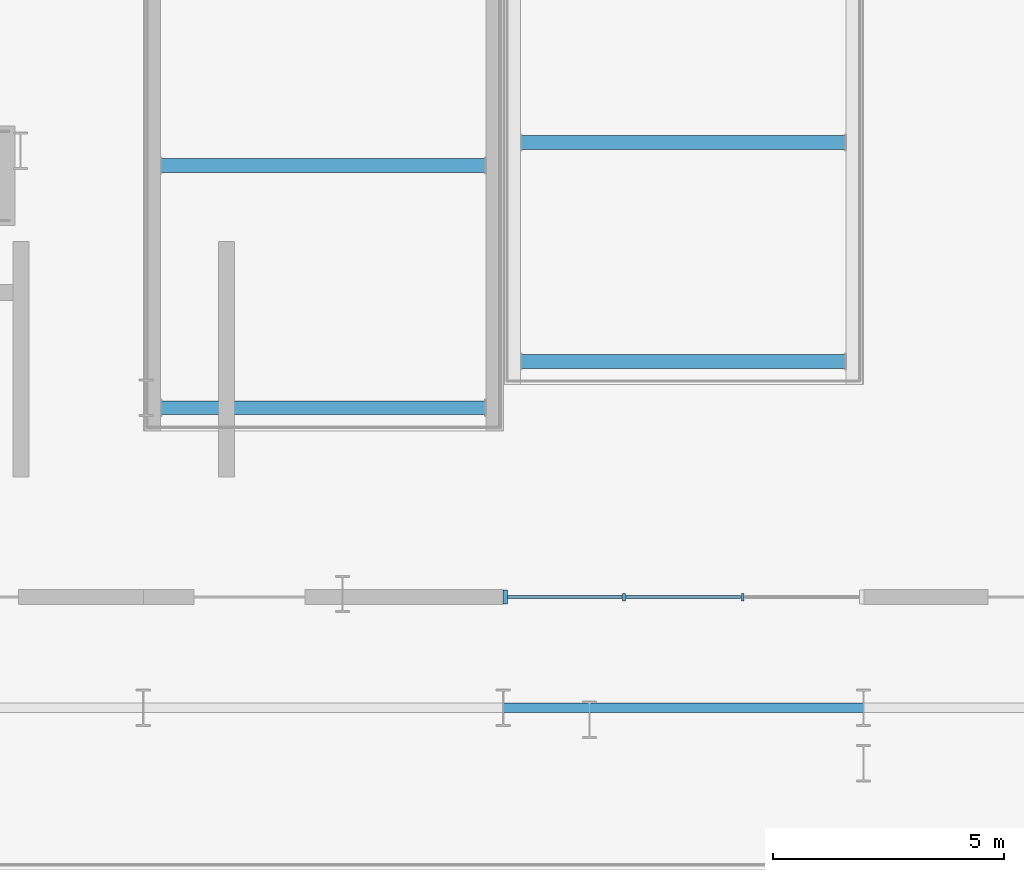
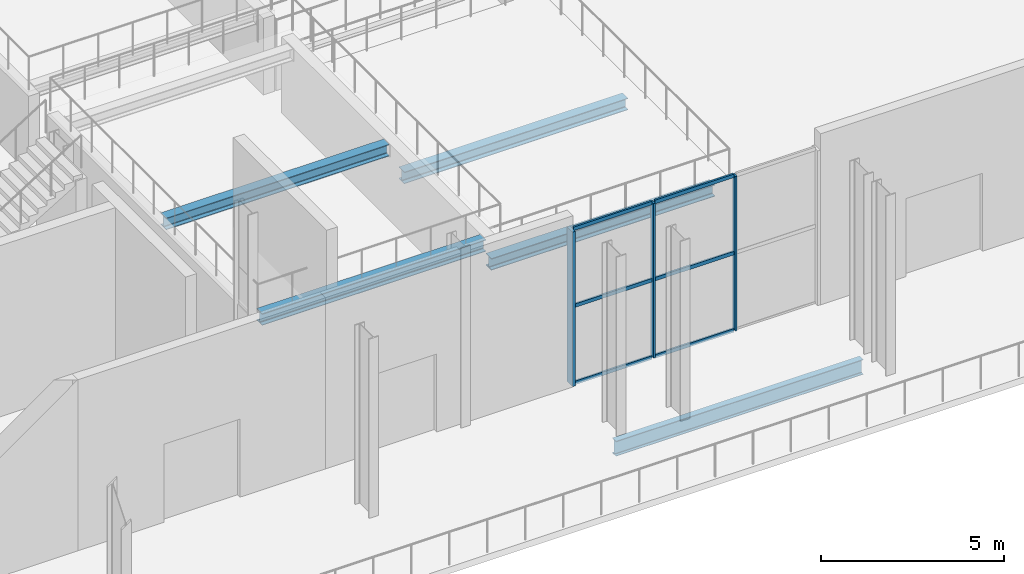
# One storey, part 18 of 84: 9 members, 5 beams, 1 element without a shape of its own.
"""IFC4 building model written with IfcOpenShell, lengths in metres."""

from ifc_helpers import new_model, si_unit, direction, frame, origin, origin_2d, place, context, subcontext, project, spatial, rectangle, i_section, extrude, material, layer, layer_set, material_profile, profile_set, type_object, element, aggregate, save


model = new_model("IFC4")

# Units and contexts
model_context = context("Model", 3, precision=1e-05, world=origin(), true_north=direction((0.0, 1.0)))
body_context = subcontext(model_context, "Body", "Model", "MODEL_VIEW")
ifc_project = project(units=[si_unit("LENGTHUNIT", "METRE"), si_unit("AREAUNIT", "SQUARE_METRE"), si_unit("VOLUMEUNIT", "CUBIC_METRE"), si_unit("PLANEANGLEUNIT", "RADIAN"), si_unit("MASSUNIT", "GRAM", prefix="KILO")], contexts=[model_context])

# Site, building, storey
site_placement = place(None, origin())
site = spatial("IfcSite", under=ifc_project, at=site_placement, CompositionType="ELEMENT")
building_placement = place(site_placement, origin())
building = spatial("IfcBuilding", under=site, at=building_placement, Name="Sefraquen Railside Congress Hotel", CompositionType="ELEMENT")
storey_placement = place(building_placement, origin())
storey = spatial("IfcBuildingStorey", under=building, at=storey_placement, Name="L00", CompositionType="ELEMENT", Elevation=0.0)

# Beams
ifc_material_1 = material(Name="Steel S355JR", Category="steel")
ifc_material_profile_1 = material_profile(ifc_material_1, i_section(OverallWidth=0.300048828125, OverallDepth=0.389892578125, WebThickness=0.010986328125, FlangeThickness=0.01904296875, FilletRadius=0.027099609375, at=origin_2d()), Name="HEA 400")
ifc_profile_set_1 = profile_set([ifc_material_profile_1], Name="Steel S355JR")
beam_type_1 = type_object("IfcBeamType", Name="TB-BM-400", PredefinedType="BEAM", material=ifc_profile_set_1)
for number, where, z_axis, x_axis, name in (
    (1, (56.77490234375, 16.5, 0.844970703125), (1.0, 0.0, 0.0), (0.0, 1.0, 0.0), "Congress Hall RAKER beam L00-01A"),
    (2, (56.77490234375, 21.25, 0.844970703125), (1.0, 0.0, 0.0), (0.0, 1.0, 0.0), "Congress Hall RAKER beam L00-01M"),
):
    element("IfcBeam", number, at=place(storey_placement, frame(where, z_axis=z_axis, x_axis=x_axis)), inside=storey, type_object=beam_type_1, Name=name, PredefinedType="BEAM", context=body_context, shape_type="SweptSolid", body=[
        extrude(i_section(OverallWidth=0.300048828125, OverallDepth=0.389892578125, WebThickness=0.010986328125, FlangeThickness=0.01904296875, FilletRadius=0.027099609375, at=origin_2d()), origin(), (0.0, 0.0, 1.0), 7.050048828125),
    ])
for number, where, z_axis, x_axis, name in (
    (3, (48.97509765625, 15.5, 2.344970703125), (1.0, 0.0, 0.0), (0.0, 1.0, 0.0), "Congress Hall RAKER beam L00-03A"),
    (4, (48.97509765625, 20.75, 2.344970703125), (1.0, 0.0, 0.0), (0.0, 1.0, 0.0), "Congress Hall RAKER beam L00-03M"),
):
    element("IfcBeam", number, at=place(storey_placement, frame(where, z_axis=z_axis, x_axis=x_axis)), inside=storey, type_object=beam_type_1, Name=name, PredefinedType="BEAM", context=body_context, shape_type="SweptSolid", body=[
        extrude(i_section(OverallWidth=0.300048828125, OverallDepth=0.389892578125, WebThickness=0.010986328125, FlangeThickness=0.01904296875, FilletRadius=0.027099609375, at=origin_2d()), origin(), (0.0, 0.0, 1.0), 7.0498046875),
    ])
ifc_material_profile_2 = material_profile(ifc_material_1, i_section(OverallWidth=0.199951171875, OverallDepth=0.5, WebThickness=0.01025390625, FlangeThickness=0.01611328125, FilletRadius=0.02099609375, at=origin_2d()), Name="IPE 500")
ifc_profile_set_2 = profile_set([ifc_material_profile_2], Name="Steel S355JR")
beam_type_2 = type_object("IfcBeamType", Name="TB-BM-500", PredefinedType="BEAM", material=ifc_profile_set_2)
beam_placement = place(storey_placement, frame((56.39990234375, 9.0, -0.64990234375), z_axis=(1.0, 0.0, 0.0), x_axis=(0.0, 1.0, 0.0)))
element("IfcBeam", 5, at=beam_placement, inside=storey, type_object=beam_type_2, Name="Primary girder BM-L00-0005", PredefinedType="BEAM", context=body_context, shape_type="SweptSolid", body=[
    extrude(i_section(OverallWidth=0.199951171875, OverallDepth=0.5, WebThickness=0.01025390625, FlangeThickness=0.01611328125, FilletRadius=0.02099609375, at=origin_2d()), origin(), (0.0, 0.0, 1.0), 7.800048828125),
])

# Curtain wall, members
ifc_material_2 = material(Name="Thermally broken anodised aluminium and low-E double glazing", Category="aluminium")
ifc_layer = layer(ifc_material_2, 0.199951171875)
ifc_layer_set = layer_set([ifc_layer], Name="Thermally broken anodised aluminium and low-E double glazing")
curtain_wall_type = type_object("IfcCurtainWallType", Name="TCW-UCW-01", PredefinedType="USERDEFINED", material=ifc_layer_set)
curtain_wall_placement = place(storey_placement, origin())
curtain_wall = element("IfcCurtainWall", 6, at=curtain_wall_placement, inside=storey, type_object=curtain_wall_type, Name="Congress arcade curtain wall UCW-01", ObjectType="UNITISED CURTAIN WALL", PredefinedType="USERDEFINED")
ifc_material_3 = material(Name="Thermally broken anodised aluminium 6063-T6", Category="aluminium")
ifc_material_profile_3 = material_profile(ifc_material_3, rectangle(XDim=0.06005859375, YDim=0.159912109375, at=origin_2d()), Name="CWM 60x160")
ifc_profile_set_3 = profile_set([ifc_material_profile_3], Name="Thermally broken anodised aluminium 6063-T6")
member_type_1 = type_object("IfcMemberType", Name="TM-CWM-01", PredefinedType="MULLION", material=ifc_profile_set_3)
member_1_placement = place(storey_placement, frame((59.01318359375, 11.39990234375, 0.0), z_axis=(0.0, 0.0, 1.0), x_axis=(1.0, 0.0, 0.0)))
member_1 = element("IfcMember", 7, at=member_1_placement, type_object=member_type_1, Name="CW-L00-001 mullion 2", PredefinedType="MULLION", context=body_context, shape_type="SweptSolid", body=[
    extrude(rectangle(XDim=0.06005859375, YDim=0.159912109375, at=origin_2d()), origin(), (0.0, 0.0, 1.0), 5.14990234375),
])
member_2_placement = place(storey_placement, frame((61.586669921875, 11.39990234375, 0.0), z_axis=(0.0, 0.0, 1.0), x_axis=(1.0, 0.0, 0.0)))
member_2 = element("IfcMember", 8, at=member_2_placement, type_object=member_type_1, Name="CW-L00-001 mullion 3", PredefinedType="MULLION", context=body_context, shape_type="SweptSolid", body=[
    extrude(rectangle(XDim=0.06005859375, YDim=0.159912109375, at=origin_2d()), origin(), (0.0, 0.0, 1.0), 5.14990234375),
])
ifc_material_profile_4 = material_profile(ifc_material_3, rectangle(XDim=0.094970703125, YDim=0.300048828125, at=origin_2d()), Name="CWM 95x300")
ifc_profile_set_4 = profile_set([ifc_material_profile_4], Name="Thermally broken anodised aluminium 6063-T6")
member_type_2 = type_object("IfcMemberType", Name="TM-CWM-08", PredefinedType="MULLION", material=ifc_profile_set_4)
member_3_placement = place(storey_placement, frame((56.43994140625, 11.39990234375, 0.0), z_axis=(0.0, 0.0, 1.0), x_axis=(1.0, 0.0, 0.0)))
member_3 = element("IfcMember", 9, at=member_3_placement, type_object=member_type_2, Name="CW-L00-001 mullion 1", PredefinedType="MULLION", context=body_context, shape_type="SweptSolid", body=[
    extrude(rectangle(XDim=0.094970703125, YDim=0.300048828125, at=origin_2d()), origin(), (0.0, 0.0, 1.0), 5.14990234375),
])
ifc_material_profile_5 = material_profile(ifc_material_3, rectangle(XDim=0.06005859375, YDim=0.1201171875, at=origin_2d()), Name="CWT 60x120")
ifc_profile_set_5 = profile_set([ifc_material_profile_5], Name="Thermally broken anodised aluminium 6063-T6")
member_type_3 = type_object("IfcMemberType", Name="TM-CWT-01", PredefinedType="USERDEFINED", material=ifc_profile_set_5)
member_4_placement = place(storey_placement, frame((56.485107421875, 11.39990234375, 0.0), z_axis=(1.0, 0.0, 0.0), x_axis=(0.0, 1.0, 0.0)))
member_4 = element("IfcMember", 10, at=member_4_placement, type_object=member_type_3, Name="CW-L00-001 transom 1.1", ObjectType="TRANSOM", PredefinedType="USERDEFINED", context=body_context, shape_type="SweptSolid", body=[
    extrude(rectangle(XDim=0.06005859375, YDim=0.1201171875, at=origin_2d()), origin(), (0.0, 0.0, 1.0), 2.483154296875),
])
member_5_placement = place(storey_placement, frame((59.058349609375, 11.39990234375, 0.0), z_axis=(1.0, 0.0, 0.0), x_axis=(0.0, 1.0, 0.0)))
member_5 = element("IfcMember", 11, at=member_5_placement, type_object=member_type_3, Name="CW-L00-001 transom 1.2", ObjectType="TRANSOM", PredefinedType="USERDEFINED", context=body_context, shape_type="SweptSolid", body=[
    extrude(rectangle(XDim=0.06005859375, YDim=0.1201171875, at=origin_2d()), origin(), (0.0, 0.0, 1.0), 2.4833984375),
])
member_6_placement = place(storey_placement, frame((56.485107421875, 11.39990234375, 2.574951171875), z_axis=(1.0, 0.0, 0.0), x_axis=(0.0, 1.0, 0.0)))
member_6 = element("IfcMember", 12, at=member_6_placement, type_object=member_type_3, Name="CW-L00-001 transom 2.1", ObjectType="TRANSOM", PredefinedType="USERDEFINED", context=body_context, shape_type="SweptSolid", body=[
    extrude(rectangle(XDim=0.06005859375, YDim=0.1201171875, at=origin_2d()), origin(), (0.0, 0.0, 1.0), 2.483154296875),
])
member_7_placement = place(storey_placement, frame((59.058349609375, 11.39990234375, 2.574951171875), z_axis=(1.0, 0.0, 0.0), x_axis=(0.0, 1.0, 0.0)))
member_7 = element("IfcMember", 13, at=member_7_placement, type_object=member_type_3, Name="CW-L00-001 transom 2.2", ObjectType="TRANSOM", PredefinedType="USERDEFINED", context=body_context, shape_type="SweptSolid", body=[
    extrude(rectangle(XDim=0.06005859375, YDim=0.1201171875, at=origin_2d()), origin(), (0.0, 0.0, 1.0), 2.4833984375),
])
member_8_placement = place(storey_placement, frame((56.485107421875, 11.39990234375, 5.14990234375), z_axis=(1.0, 0.0, 0.0), x_axis=(0.0, 1.0, 0.0)))
member_8 = element("IfcMember", 14, at=member_8_placement, type_object=member_type_3, Name="CW-L00-001 transom 3.1", ObjectType="TRANSOM", PredefinedType="USERDEFINED", context=body_context, shape_type="SweptSolid", body=[
    extrude(rectangle(XDim=0.06005859375, YDim=0.1201171875, at=origin_2d()), origin(), (0.0, 0.0, 1.0), 2.483154296875),
])
member_9_placement = place(storey_placement, frame((59.058349609375, 11.39990234375, 5.14990234375), z_axis=(1.0, 0.0, 0.0), x_axis=(0.0, 1.0, 0.0)))
member_9 = element("IfcMember", 15, at=member_9_placement, type_object=member_type_3, Name="CW-L00-001 transom 3.2", ObjectType="TRANSOM", PredefinedType="USERDEFINED", context=body_context, shape_type="SweptSolid", body=[
    extrude(rectangle(XDim=0.06005859375, YDim=0.1201171875, at=origin_2d()), origin(), (0.0, 0.0, 1.0), 2.4833984375),
])
aggregate(curtain_wall, [member_3, member_1, member_2, member_4, member_5, member_6, member_7, member_8, member_9])

save(model, "model.ifc")
